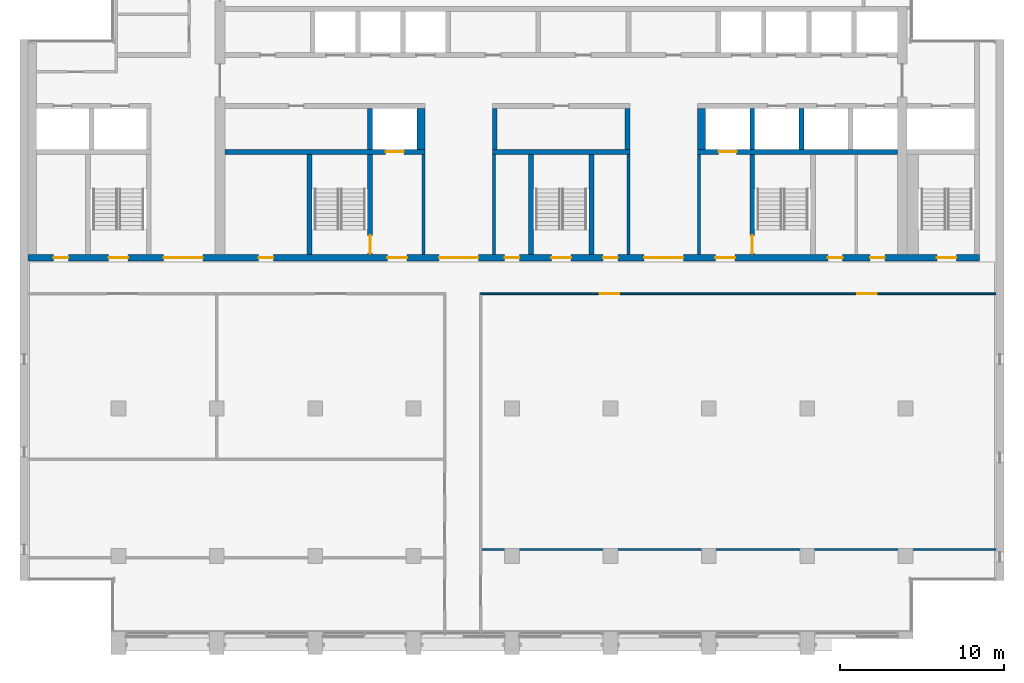
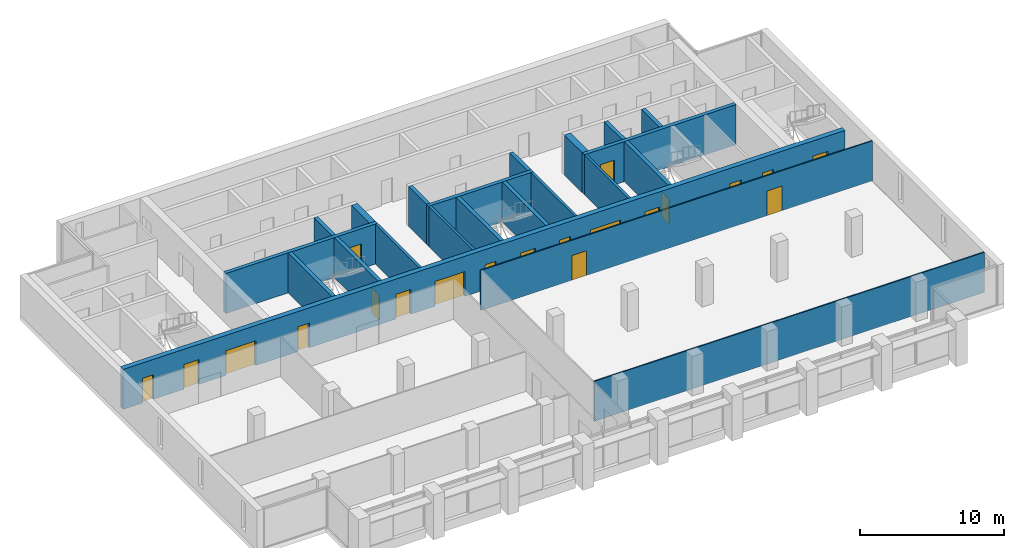
# One storey, part 8 of 14: 22 walls, 20 doors, 20 openings.
"""IFC4 building model written with IfcOpenShell, lengths in metres."""

from ifc_helpers import new_model, si_unit, direction, frame, frame_2d, origin, place, context, subcontext, project, spatial, rectangle, extrude, material, layer, layer_set, type_object, element, fill, save


model = new_model("IFC4")

# Units and contexts
model_context = context("Model", 3, precision=1e-05, world=origin(), true_north=direction((0.0, 1.0)))
body_context = subcontext(model_context, "Body", "Model", "MODEL_VIEW")
ifc_project = project(units=[si_unit("LENGTHUNIT", "METRE"), si_unit("AREAUNIT", "SQUARE_METRE"), si_unit("VOLUMEUNIT", "CUBIC_METRE"), si_unit("PLANEANGLEUNIT", "RADIAN"), si_unit("MASSUNIT", "GRAM", prefix="KILO")], contexts=[model_context])

# Site, building, storey
site_placement = place(None, origin())
site = spatial("IfcSite", under=ifc_project, at=site_placement, CompositionType="ELEMENT")
building_placement = place(site_placement, origin())
building = spatial("IfcBuilding", under=site, at=building_placement, Name="Calvaro Tower", CompositionType="ELEMENT")
storey_placement = place(building_placement, frame((0.0, 0.0, 239.35009765625)))
storey = spatial("IfcBuildingStorey", under=building, at=storey_placement, Name="L60", CompositionType="ELEMENT", Elevation=239.35009765625)

# Walls
ifc_material_1 = material(Name="Blockwork partition", Category="masonry")
ifc_layer_1 = layer(ifc_material_1, 0.199951171875)
ifc_layer_set_1 = layer_set([ifc_layer_1], Name="Blockwork partition")
wall_type_1 = type_object("IfcWallType", Name="Core partition 200 REI 120", PredefinedType="PARTITIONING", material=ifc_layer_set_1)
for number, where, z_axis, x_axis, name in (
    (1, (30.60009765625, 28.39990234375, 0.0), (0.0, 0.0, 1.0), (0.0, 1.0, 0.0), "Core partition"),
    (2, (34.89990234375, 28.39990234375, 0.0), (0.0, 0.0, 1.0), (0.0, 1.0, 0.0), "Core partition"),
    (3, (43.10009765625, 28.39990234375, 0.0), (0.0, 0.0, 1.0), (0.0, 1.0, 0.0), "Core partition"),
    (4, (47.39990234375, 28.39990234375, 0.0), (0.0, 0.0, 1.0), (0.0, 1.0, 0.0), "Core partition"),
):
    element("IfcWall", number, at=place(storey_placement, frame(where, z_axis=z_axis, x_axis=x_axis)), inside=storey, type_object=wall_type_1, Name=name, PredefinedType="PARTITIONING", context=body_context, shape_type="SweptSolid", body=[
        extrude(rectangle(XDim=6.10009765625, YDim=0.199951171875, at=frame_2d((3.050048828125, 0.0))), origin(), (0.0, 0.0, 1.0), 3.39990234375),
    ])
ifc_material_2 = material(Name="Concrete C40/50", Category="concrete")
ifc_layer_2 = layer(ifc_material_2, 0.300048828125)
ifc_layer_set_2 = layer_set([ifc_layer_2], Name="Concrete C40/50")
wall_type_2 = type_object("IfcWallType", Name="Core wall C40/50 300", PredefinedType="SHEAR", material=ifc_layer_set_2)
wall_1_placement = place(storey_placement, frame((23.64990234375, 28.39990234375, 0.0), z_axis=(0.0, 0.0, 1.0), x_axis=(0.0, 1.0, 0.0)))
element("IfcWall", 5, at=wall_1_placement, inside=storey, type_object=wall_type_2, Name="Core wall, stair enclosure", PredefinedType="SHEAR", context=body_context, shape_type="SweptSolid", body=[
    extrude(rectangle(XDim=6.10009765625, YDim=0.300048828125, at=frame_2d((3.050048828125, 0.0))), origin(), (0.0, 0.0, 1.0), 3.39990234375),
])

# Wall, opening, door
wall_2_placement = place(storey_placement, frame((27.35009765625, 28.39990234375, 0.0), z_axis=(0.0, 0.0, 1.0), x_axis=(0.0, 1.0, 0.0)))
wall_2 = element("IfcWall", 6, at=wall_2_placement, inside=storey, type_object=wall_type_2, Name="Core wall, stair enclosure", PredefinedType="SHEAR", context=body_context, shape_type="SweptSolid", body=[
    extrude(rectangle(XDim=6.10009765625, YDim=0.300048828125, at=frame_2d((3.050048828125, 0.0))), origin(), (0.0, 0.0, 1.0), 3.39990234375),
])
opening_1_placement = place(wall_2_placement, frame((0.050048828125, 0.0, 0.0)))
opening_1 = element("IfcOpeningElement", 7, at=opening_1_placement, cuts=wall_2, Name="Opening FD11D", PredefinedType="OPENING", context=body_context, shape_type="SweptSolid", body=[
    extrude(rectangle(XDim=1.10009765625, YDim=2.10009765625, at=frame_2d((0.550048828125, 1.050048828125))), frame((0.0, 0.159912109375, 0.0), z_axis=(0.0, -1.0, 0.0), x_axis=(1.0, 0.0, 0.0)), (0.0, 0.0, 1.0), 0.320068359375),
])
ifc_material_3 = material(Name="Steel door set", Category="steel")
door_type_1 = type_object("IfcDoorType", Name="Fire door 1100 FD30S", OperationType="SINGLE_SWING_LEFT", PredefinedType="DOOR", material=ifc_material_3)
door_1_placement = place(opening_1_placement, origin())
door_1 = element("IfcDoor", 8, at=door_1_placement, inside=storey, type_object=door_type_1, Name="Fire door", OperationType="SINGLE_SWING_LEFT", OverallHeight=2.10009765625, OverallWidth=1.10009765625, PredefinedType="DOOR", context=body_context, shape_type="SweptSolid", body=[
    extrude(rectangle(XDim=1.10009765625, YDim=2.10009765625, at=frame_2d((0.550048828125, 1.050048828125))), frame((0.0, 0.02490234375, 0.0), z_axis=(0.0, -1.0, 0.0), x_axis=(1.0, 0.0, 0.0)), (0.0, 0.0, 1.0), 0.050048828125),
])
fill(opening_1, door_1)

# Walls
for number, where, z_axis, x_axis, name in (
    (9, (37.14990234375, 28.39990234375, 0.0), (0.0, 0.0, 1.0), (0.0, 1.0, 0.0), "Core wall, stair enclosure"),
    (10, (40.85009765625, 28.39990234375, 0.0), (0.0, 0.0, 1.0), (0.0, 1.0, 0.0), "Core wall, stair enclosure"),
):
    element("IfcWall", number, at=place(storey_placement, frame(where, z_axis=z_axis, x_axis=x_axis)), inside=storey, type_object=wall_type_2, Name=name, PredefinedType="SHEAR", context=body_context, shape_type="SweptSolid", body=[
        extrude(rectangle(XDim=6.10009765625, YDim=0.300048828125, at=frame_2d((3.050048828125, 0.0))), origin(), (0.0, 0.0, 1.0), 3.39990234375),
    ])

# Wall, opening, door
wall_3_placement = place(storey_placement, frame((50.64990234375, 34.5, 0.0), z_axis=(0.0, 0.0, 1.0), x_axis=(0.0, -1.0, 0.0)))
wall_3 = element("IfcWall", 11, at=wall_3_placement, inside=storey, type_object=wall_type_2, Name="Core wall, stair enclosure", PredefinedType="SHEAR", context=body_context, shape_type="SweptSolid", body=[
    extrude(rectangle(XDim=6.10009765625, YDim=0.300048828125, at=frame_2d((3.050048828125, 0.0))), origin(), (0.0, 0.0, 1.0), 3.39990234375),
])
opening_2_placement = place(wall_3_placement, frame((4.949951171875, 0.0, 0.0)))
opening_2 = element("IfcOpeningElement", 12, at=opening_2_placement, cuts=wall_3, Name="Opening FD11D", PredefinedType="OPENING", context=body_context, shape_type="SweptSolid", body=[
    extrude(rectangle(XDim=1.10009765625, YDim=2.10009765625, at=frame_2d((0.550048828125, 1.050048828125))), frame((0.0, 0.159912109375, 0.0), z_axis=(0.0, -1.0, 0.0), x_axis=(1.0, 0.0, 0.0)), (0.0, 0.0, 1.0), 0.320068359375),
])
door_2_placement = place(opening_2_placement, origin())
door_2 = element("IfcDoor", 13, at=door_2_placement, inside=storey, type_object=door_type_1, Name="Fire door", OperationType="SINGLE_SWING_RIGHT", OverallHeight=2.10009765625, OverallWidth=1.10009765625, PredefinedType="DOOR", context=body_context, shape_type="SweptSolid", body=[
    extrude(rectangle(XDim=1.10009765625, YDim=2.10009765625, at=frame_2d((0.550048828125, 1.050048828125))), frame((0.0, 0.02490234375, 0.0), z_axis=(0.0, -1.0, 0.0), x_axis=(1.0, 0.0, 0.0)), (0.0, 0.0, 1.0), 0.050048828125),
])
fill(opening_2, door_2)

wall_4_placement = place(storey_placement, frame((18.5, 34.64990234375, 0.0), z_axis=(0.0, 0.0, 1.0), x_axis=(1.0, 0.0, 0.0)))
wall_4 = element("IfcWall", 14, at=wall_4_placement, inside=storey, type_object=wall_type_2, Name="Core wall, lift shaft", PredefinedType="SHEAR", context=body_context, shape_type="SweptSolid", body=[
    extrude(rectangle(XDim=12.199951171875, YDim=0.300048828125, at=frame_2d((6.10009765625, 0.0))), origin(), (0.0, 0.0, 1.0), 3.39990234375),
])
opening_3_placement = place(wall_4_placement, frame((9.800048828125, 0.0, 0.0)))
opening_3 = element("IfcOpeningElement", 15, at=opening_3_placement, cuts=wall_4, Name="Opening FF1", PredefinedType="OPENING", context=body_context, shape_type="SweptSolid", body=[
    extrude(rectangle(XDim=1.10009765625, YDim=2.10009765625, at=frame_2d((0.550048828125, 1.050048828125))), frame((0.0, 0.159912109375, 0.0), z_axis=(0.0, -1.0, 0.0), x_axis=(1.0, 0.0, 0.0)), (0.0, 0.0, 1.0), 0.320068359375),
])
ifc_material_4 = material(Name="Stainless steel", Category="steel")
door_type_2 = type_object("IfcDoorType", Name="Landing door 1100 E 60", OperationType="SLIDING_TO_LEFT", PredefinedType="DOOR", material=ifc_material_4)
door_3_placement = place(opening_3_placement, origin())
door_3 = element("IfcDoor", 16, at=door_3_placement, inside=storey, type_object=door_type_2, Name="Landing door FF1", OperationType="SLIDING_TO_LEFT", OverallHeight=2.10009765625, OverallWidth=1.10009765625, PredefinedType="DOOR", context=body_context, shape_type="SweptSolid", body=[
    extrude(rectangle(XDim=1.10009765625, YDim=2.10009765625, at=frame_2d((0.550048828125, 1.050048828125))), frame((0.0, 0.02490234375, 0.0), z_axis=(0.0, -1.0, 0.0), x_axis=(1.0, 0.0, 0.0)), (0.0, 0.0, 1.0), 0.050048828125),
])
fill(opening_3, door_3)

# Wall
wall_5_placement = place(storey_placement, frame((34.800048828125, 34.64990234375, 0.0), z_axis=(0.0, 0.0, 1.0), x_axis=(1.0, 0.0, 0.0)))
element("IfcWall", 17, at=wall_5_placement, inside=storey, type_object=wall_type_2, Name="Core wall, lift shaft", PredefinedType="SHEAR", context=body_context, shape_type="SweptSolid", body=[
    extrude(rectangle(XDim=8.39990234375, YDim=0.300048828125, at=frame_2d((4.199951171875, 0.0))), origin(), (0.0, 0.0, 1.0), 3.39990234375),
])

# Wall, opening, door
wall_6_placement = place(storey_placement, frame((47.300048828125, 34.64990234375, 0.0), z_axis=(0.0, 0.0, 1.0), x_axis=(1.0, 0.0, 0.0)))
wall_6 = element("IfcWall", 18, at=wall_6_placement, inside=storey, type_object=wall_type_2, Name="Core wall, lift shaft", PredefinedType="SHEAR", context=body_context, shape_type="SweptSolid", body=[
    extrude(rectangle(XDim=12.199951171875, YDim=0.300048828125, at=frame_2d((6.10009765625, 0.0))), origin(), (0.0, 0.0, 1.0), 3.39990234375),
])
opening_4_placement = place(wall_6_placement, frame((1.300048828125, 0.0, 0.0)))
opening_4 = element("IfcOpeningElement", 19, at=opening_4_placement, cuts=wall_6, Name="Opening FF2", PredefinedType="OPENING", context=body_context, shape_type="SweptSolid", body=[
    extrude(rectangle(XDim=1.10009765625, YDim=2.10009765625, at=frame_2d((0.550048828125, 1.050048828125))), frame((0.0, 0.159912109375, 0.0), z_axis=(0.0, -1.0, 0.0), x_axis=(1.0, 0.0, 0.0)), (0.0, 0.0, 1.0), 0.320068359375),
])
door_4_placement = place(opening_4_placement, origin())
door_4 = element("IfcDoor", 20, at=door_4_placement, inside=storey, type_object=door_type_2, Name="Landing door FF2", OperationType="SLIDING_TO_LEFT", OverallHeight=2.10009765625, OverallWidth=1.10009765625, PredefinedType="DOOR", context=body_context, shape_type="SweptSolid", body=[
    extrude(rectangle(XDim=1.10009765625, YDim=2.10009765625, at=frame_2d((0.550048828125, 1.050048828125))), frame((0.0, 0.02490234375, 0.0), z_axis=(0.0, -1.0, 0.0), x_axis=(1.0, 0.0, 0.0)), (0.0, 0.0, 1.0), 0.050048828125),
])
fill(opening_4, door_4)

# Walls
for number, where, z_axis, x_axis, name in (
    (21, (27.35009765625, 34.800048828125, 0.0), (0.0, 0.0, 1.0), (0.0, 1.0, 0.0), "Core wall, lift shaft"),
    (22, (34.949951171875, 34.800048828125, 0.0), (0.0, 0.0, 1.0), (0.0, 1.0, 0.0), "Core wall, lift shaft"),
    (23, (43.050048828125, 34.800048828125, 0.0), (0.0, 0.0, 1.0), (0.0, 1.0, 0.0), "Core wall, lift shaft"),
    (24, (50.64990234375, 34.800048828125, 0.0), (0.0, 0.0, 1.0), (0.0, 1.0, 0.0), "Core wall, lift shaft"),
    (25, (53.64990234375, 34.800048828125, 0.0), (0.0, 0.0, 1.0), (0.0, 1.0, 0.0), "Core wall, lift shaft"),
):
    element("IfcWall", number, at=place(storey_placement, frame(where, z_axis=z_axis, x_axis=x_axis)), inside=storey, type_object=wall_type_2, Name=name, PredefinedType="SHEAR", context=body_context, shape_type="SweptSolid", body=[
        extrude(rectangle(XDim=2.5, YDim=0.300048828125, at=frame_2d((1.25, 0.0))), origin(), (0.0, 0.0, 1.0), 3.39990234375),
    ])

# Wall, openings, doors
ifc_material_5 = material(Name="Concrete C40/50", Category="concrete")
ifc_layer_3 = layer(ifc_material_5, 0.39990234375)
ifc_layer_set_3 = layer_set([ifc_layer_3], Name="Concrete C40/50")
wall_type_3 = type_object("IfcWallType", Name="Core wall C40/50 400", PredefinedType="SHEAR", material=ifc_layer_set_3)
wall_7_placement = place(storey_placement, frame((6.5, 28.199951171875, 0.0), z_axis=(0.0, 0.0, 1.0), x_axis=(1.0, 0.0, 0.0)))
wall_7 = element("IfcWall", 26, at=wall_7_placement, inside=storey, type_object=wall_type_3, Name="Core wall, front", PredefinedType="SHEAR", context=body_context, shape_type="SweptSolid", body=[
    extrude(rectangle(XDim=58.0, YDim=0.39990234375, at=frame_2d((29.0, 0.0))), origin(), (0.0, 0.0, 1.0), 3.39990234375),
])
opening_5_placement = place(wall_7_placement, frame((14.050048828125, 0.0, 0.0)))
opening_5 = element("IfcOpeningElement", 27, at=opening_5_placement, cuts=wall_7, Name="Opening RD9E", PredefinedType="OPENING", context=body_context, shape_type="SweptSolid", body=[
    extrude(rectangle(XDim=0.89990234375, YDim=2.10009765625, at=frame_2d((0.449951171875, 1.050048828125))), frame((0.0, 0.2099609375, 0.0), z_axis=(0.0, -1.0, 0.0), x_axis=(1.0, 0.0, 0.0)), (0.0, 0.0, 1.0), 0.419921875),
])
opening_6_placement = place(wall_7_placement, frame((48.762451171875, 0.0, 0.0)))
opening_6 = element("IfcOpeningElement", 28, at=opening_6_placement, cuts=wall_7, Name="Opening RD9C", PredefinedType="OPENING", context=body_context, shape_type="SweptSolid", body=[
    extrude(rectangle(XDim=0.89990234375, YDim=2.10009765625, at=frame_2d((0.449951171875, 1.050048828125))), frame((0.0, 0.2099609375, 0.0), z_axis=(0.0, -1.0, 0.0), x_axis=(1.0, 0.0, 0.0)), (0.0, 0.0, 1.0), 0.419921875),
])
opening_7_placement = place(wall_7_placement, frame((51.33740234375, 0.0, 0.0)))
opening_7 = element("IfcOpeningElement", 29, at=opening_7_placement, cuts=wall_7, Name="Opening RD9C", PredefinedType="OPENING", context=body_context, shape_type="SweptSolid", body=[
    extrude(rectangle(XDim=0.89990234375, YDim=2.10009765625, at=frame_2d((0.449951171875, 1.050048828125))), frame((0.0, 0.2099609375, 0.0), z_axis=(0.0, -1.0, 0.0), x_axis=(1.0, 0.0, 0.0)), (0.0, 0.0, 1.0), 0.419921875),
])
opening_8_placement = place(wall_7_placement, frame((1.550048828125, 0.0, 0.0)))
opening_8 = element("IfcOpeningElement", 30, at=opening_8_placement, cuts=wall_7, Name="Opening RD9C", PredefinedType="OPENING", context=body_context, shape_type="SweptSolid", body=[
    extrude(rectangle(XDim=0.89990234375, YDim=2.10009765625, at=frame_2d((0.449951171875, 1.050048828125))), frame((0.0, 0.2099609375, 0.0), z_axis=(0.0, -1.0, 0.0), x_axis=(1.0, 0.0, 0.0)), (0.0, 0.0, 1.0), 0.419921875),
])
opening_9_placement = place(wall_7_placement, frame((4.89990234375, 0.0, 0.0)))
opening_9 = element("IfcOpeningElement", 31, at=opening_9_placement, cuts=wall_7, Name="Opening SD12D", PredefinedType="OPENING", context=body_context, shape_type="SweptSolid", body=[
    extrude(rectangle(XDim=1.199951171875, YDim=2.10009765625, at=frame_2d((0.60009765625, 1.050048828125))), frame((0.0, 0.2099609375, 0.0), z_axis=(0.0, -1.0, 0.0), x_axis=(1.0, 0.0, 0.0)), (0.0, 0.0, 1.0), 0.419921875),
])
opening_10_placement = place(wall_7_placement, frame((31.89990234375, 0.0, 0.0)))
opening_10 = element("IfcOpeningElement", 32, at=opening_10_placement, cuts=wall_7, Name="Opening SD12D", PredefinedType="OPENING", context=body_context, shape_type="SweptSolid", body=[
    extrude(rectangle(XDim=1.199951171875, YDim=2.10009765625, at=frame_2d((0.60009765625, 1.050048828125))), frame((0.0, 0.2099609375, 0.0), z_axis=(0.0, -1.0, 0.0), x_axis=(1.0, 0.0, 0.0)), (0.0, 0.0, 1.0), 0.419921875),
])
opening_11_placement = place(wall_7_placement, frame((55.39990234375, 0.0, 0.0)))
opening_11 = element("IfcOpeningElement", 33, at=opening_11_placement, cuts=wall_7, Name="Opening SD12D", PredefinedType="OPENING", context=body_context, shape_type="SweptSolid", body=[
    extrude(rectangle(XDim=1.199951171875, YDim=2.10009765625, at=frame_2d((0.60009765625, 1.050048828125))), frame((0.0, 0.2099609375, 0.0), z_axis=(0.0, -1.0, 0.0), x_axis=(1.0, 0.0, 0.0)), (0.0, 0.0, 1.0), 0.419921875),
])
opening_12_placement = place(wall_7_placement, frame((21.89990234375, 0.0, 0.0)))
opening_12 = element("IfcOpeningElement", 34, at=opening_12_placement, cuts=wall_7, Name="Opening FD12F", PredefinedType="OPENING", context=body_context, shape_type="SweptSolid", body=[
    extrude(rectangle(XDim=1.199951171875, YDim=2.10009765625, at=frame_2d((0.60009765625, 1.050048828125))), frame((0.0, 0.2099609375, 0.0), z_axis=(0.0, -1.0, 0.0), x_axis=(1.0, 0.0, 0.0)), (0.0, 0.0, 1.0), 0.419921875),
])
opening_13_placement = place(wall_7_placement, frame((41.89990234375, 0.0, 0.0)))
opening_13 = element("IfcOpeningElement", 35, at=opening_13_placement, cuts=wall_7, Name="Opening FD12F", PredefinedType="OPENING", context=body_context, shape_type="SweptSolid", body=[
    extrude(rectangle(XDim=1.199951171875, YDim=2.10009765625, at=frame_2d((0.60009765625, 1.050048828125))), frame((0.0, 0.2099609375, 0.0), z_axis=(0.0, -1.0, 0.0), x_axis=(1.0, 0.0, 0.0)), (0.0, 0.0, 1.0), 0.419921875),
])
opening_14_placement = place(wall_7_placement, frame((25.050048828125, 0.0, 0.0)))
opening_14 = element("IfcOpeningElement", 36, at=opening_14_placement, cuts=wall_7, Name="Opening DD24D", PredefinedType="OPENING", context=body_context, shape_type="SweptSolid", body=[
    extrude(rectangle(XDim=2.39990234375, YDim=2.10009765625, at=frame_2d((1.199951171875, 1.050048828125))), frame((0.0, 0.2099609375, 0.0), z_axis=(0.0, -1.0, 0.0), x_axis=(1.0, 0.0, 0.0)), (0.0, 0.0, 1.0), 0.419921875),
])
opening_15_placement = place(wall_7_placement, frame((37.550048828125, 0.0, 0.0)))
opening_15 = element("IfcOpeningElement", 37, at=opening_15_placement, cuts=wall_7, Name="Opening DD24D", PredefinedType="OPENING", context=body_context, shape_type="SweptSolid", body=[
    extrude(rectangle(XDim=2.39990234375, YDim=2.10009765625, at=frame_2d((1.199951171875, 1.050048828125))), frame((0.0, 0.2099609375, 0.0), z_axis=(0.0, -1.0, 0.0), x_axis=(1.0, 0.0, 0.0)), (0.0, 0.0, 1.0), 0.419921875),
])
opening_16_placement = place(wall_7_placement, frame((8.25, 0.0, 0.0)))
opening_16 = element("IfcOpeningElement", 38, at=opening_16_placement, cuts=wall_7, Name="Opening DD24D", PredefinedType="OPENING", context=body_context, shape_type="SweptSolid", body=[
    extrude(rectangle(XDim=2.39990234375, YDim=2.10009765625, at=frame_2d((1.199951171875, 1.050048828125))), frame((0.0, 0.2099609375, 0.0), z_axis=(0.0, -1.0, 0.0), x_axis=(1.0, 0.0, 0.0)), (0.0, 0.0, 1.0), 0.419921875),
])
opening_17_placement = place(wall_7_placement, frame((29.050048828125, 0.0, 0.0)))
opening_17 = element("IfcOpeningElement", 39, at=opening_17_placement, cuts=wall_7, Name="Opening RD9E", PredefinedType="OPENING", context=body_context, shape_type="SweptSolid", body=[
    extrude(rectangle(XDim=0.89990234375, YDim=2.10009765625, at=frame_2d((0.449951171875, 1.050048828125))), frame((0.0, 0.2099609375, 0.0), z_axis=(0.0, -1.0, 0.0), x_axis=(1.0, 0.0, 0.0)), (0.0, 0.0, 1.0), 0.419921875),
])
opening_18_placement = place(wall_7_placement, frame((35.050048828125, 0.0, 0.0)))
opening_18 = element("IfcOpeningElement", 40, at=opening_18_placement, cuts=wall_7, Name="Opening RD9E", PredefinedType="OPENING", context=body_context, shape_type="SweptSolid", body=[
    extrude(rectangle(XDim=0.89990234375, YDim=2.10009765625, at=frame_2d((0.449951171875, 1.050048828125))), frame((0.0, 0.2099609375, 0.0), z_axis=(0.0, -1.0, 0.0), x_axis=(1.0, 0.0, 0.0)), (0.0, 0.0, 1.0), 0.419921875),
])
ifc_material_6 = material(Name="Steel door set", Category="steel")
door_type_3 = type_object("IfcDoorType", Name="Fire door 1200 FD60S", OperationType="SINGLE_SWING_LEFT", PredefinedType="DOOR", material=ifc_material_6)
door_5_placement = place(opening_12_placement, origin())
door_5 = element("IfcDoor", 41, at=door_5_placement, inside=storey, type_object=door_type_3, Name="Fire door", OperationType="SINGLE_SWING_LEFT", OverallHeight=2.10009765625, OverallWidth=1.199951171875, PredefinedType="DOOR", context=body_context, shape_type="SweptSolid", body=[
    extrude(rectangle(XDim=1.199951171875, YDim=2.10009765625, at=frame_2d((0.60009765625, 1.050048828125))), frame((0.0, 0.02490234375, 0.0), z_axis=(0.0, -1.0, 0.0), x_axis=(1.0, 0.0, 0.0)), (0.0, 0.0, 1.0), 0.050048828125),
])
fill(opening_12, door_5)
door_6_placement = place(opening_13_placement, origin())
door_6 = element("IfcDoor", 42, at=door_6_placement, inside=storey, type_object=door_type_3, Name="Fire door", OperationType="SINGLE_SWING_LEFT", OverallHeight=2.10009765625, OverallWidth=1.199951171875, PredefinedType="DOOR", context=body_context, shape_type="SweptSolid", body=[
    extrude(rectangle(XDim=1.199951171875, YDim=2.10009765625, at=frame_2d((0.60009765625, 1.050048828125))), frame((0.0, 0.02490234375, 0.0), z_axis=(0.0, -1.0, 0.0), x_axis=(1.0, 0.0, 0.0)), (0.0, 0.0, 1.0), 0.050048828125),
])
fill(opening_13, door_6)
ifc_material_7 = material(Name="Steel door set", Category="steel")
door_type_4 = type_object("IfcDoorType", Name="Lobby double door 2400 FD30S", OperationType="DOUBLE_DOOR_SINGLE_SWING", PredefinedType="DOOR", material=ifc_material_7)
door_7_placement = place(opening_14_placement, origin())
door_7 = element("IfcDoor", 43, at=door_7_placement, inside=storey, type_object=door_type_4, Name="Lobby double door", OperationType="DOUBLE_DOOR_SINGLE_SWING", OverallHeight=2.10009765625, OverallWidth=2.39990234375, PredefinedType="DOOR", context=body_context, shape_type="SweptSolid", body=[
    extrude(rectangle(XDim=2.39990234375, YDim=2.10009765625, at=frame_2d((1.199951171875, 1.050048828125))), frame((0.0, 0.02490234375, 0.0), z_axis=(0.0, -1.0, 0.0), x_axis=(1.0, 0.0, 0.0)), (0.0, 0.0, 1.0), 0.050048828125),
])
fill(opening_14, door_7)
door_8_placement = place(opening_15_placement, origin())
door_8 = element("IfcDoor", 44, at=door_8_placement, inside=storey, type_object=door_type_4, Name="Lobby double door", OperationType="DOUBLE_DOOR_SINGLE_SWING", OverallHeight=2.10009765625, OverallWidth=2.39990234375, PredefinedType="DOOR", context=body_context, shape_type="SweptSolid", body=[
    extrude(rectangle(XDim=2.39990234375, YDim=2.10009765625, at=frame_2d((1.199951171875, 1.050048828125))), frame((0.0, 0.02490234375, 0.0), z_axis=(0.0, -1.0, 0.0), x_axis=(1.0, 0.0, 0.0)), (0.0, 0.0, 1.0), 0.050048828125),
])
fill(opening_15, door_8)
door_9_placement = place(opening_16_placement, origin())
door_9 = element("IfcDoor", 45, at=door_9_placement, inside=storey, type_object=door_type_4, Name="Lobby double door", OperationType="DOUBLE_DOOR_SINGLE_SWING", OverallHeight=2.10009765625, OverallWidth=2.39990234375, PredefinedType="DOOR", context=body_context, shape_type="SweptSolid", body=[
    extrude(rectangle(XDim=2.39990234375, YDim=2.10009765625, at=frame_2d((1.199951171875, 1.050048828125))), frame((0.0, 0.02490234375, 0.0), z_axis=(0.0, -1.0, 0.0), x_axis=(1.0, 0.0, 0.0)), (0.0, 0.0, 1.0), 0.050048828125),
])
fill(opening_16, door_9)
ifc_material_8 = material(Name="Steel door set", Category="steel")
door_type_5 = type_object("IfcDoorType", Name="Room door 900 FD30", OperationType="SINGLE_SWING_LEFT", PredefinedType="DOOR", material=ifc_material_8)
door_10_placement = place(opening_6_placement, origin())
door_10 = element("IfcDoor", 46, at=door_10_placement, inside=storey, type_object=door_type_5, Name="Room door", OperationType="SINGLE_SWING_LEFT", OverallHeight=2.10009765625, OverallWidth=0.89990234375, PredefinedType="DOOR", context=body_context, shape_type="SweptSolid", body=[
    extrude(rectangle(XDim=0.89990234375, YDim=2.10009765625, at=frame_2d((0.449951171875, 1.050048828125))), frame((0.0, 0.02490234375, 0.0), z_axis=(0.0, -1.0, 0.0), x_axis=(1.0, 0.0, 0.0)), (0.0, 0.0, 1.0), 0.050048828125),
])
fill(opening_6, door_10)
door_11_placement = place(opening_7_placement, origin())
door_11 = element("IfcDoor", 47, at=door_11_placement, inside=storey, type_object=door_type_5, Name="Room door", OperationType="SINGLE_SWING_LEFT", OverallHeight=2.10009765625, OverallWidth=0.89990234375, PredefinedType="DOOR", context=body_context, shape_type="SweptSolid", body=[
    extrude(rectangle(XDim=0.89990234375, YDim=2.10009765625, at=frame_2d((0.449951171875, 1.050048828125))), frame((0.0, 0.02490234375, 0.0), z_axis=(0.0, -1.0, 0.0), x_axis=(1.0, 0.0, 0.0)), (0.0, 0.0, 1.0), 0.050048828125),
])
fill(opening_7, door_11)
door_12_placement = place(opening_8_placement, origin())
door_12 = element("IfcDoor", 48, at=door_12_placement, inside=storey, type_object=door_type_5, Name="Room door", OperationType="SINGLE_SWING_LEFT", OverallHeight=2.10009765625, OverallWidth=0.89990234375, PredefinedType="DOOR", context=body_context, shape_type="SweptSolid", body=[
    extrude(rectangle(XDim=0.89990234375, YDim=2.10009765625, at=frame_2d((0.449951171875, 1.050048828125))), frame((0.0, 0.02490234375, 0.0), z_axis=(0.0, -1.0, 0.0), x_axis=(1.0, 0.0, 0.0)), (0.0, 0.0, 1.0), 0.050048828125),
])
fill(opening_8, door_12)
ifc_material_9 = material(Name="Steel door set", Category="steel")
door_type_6 = type_object("IfcDoorType", Name="Room door 900 FD60", OperationType="SINGLE_SWING_LEFT", PredefinedType="DOOR", material=ifc_material_9)
door_13_placement = place(opening_5_placement, origin())
door_13 = element("IfcDoor", 49, at=door_13_placement, inside=storey, type_object=door_type_6, Name="Room door", OperationType="SINGLE_SWING_LEFT", OverallHeight=2.10009765625, OverallWidth=0.89990234375, PredefinedType="DOOR", context=body_context, shape_type="SweptSolid", body=[
    extrude(rectangle(XDim=0.89990234375, YDim=2.10009765625, at=frame_2d((0.449951171875, 1.050048828125))), frame((0.0, 0.02490234375, 0.0), z_axis=(0.0, -1.0, 0.0), x_axis=(1.0, 0.0, 0.0)), (0.0, 0.0, 1.0), 0.050048828125),
])
fill(opening_5, door_13)
door_14_placement = place(opening_17_placement, origin())
door_14 = element("IfcDoor", 50, at=door_14_placement, inside=storey, type_object=door_type_6, Name="Room door", OperationType="SINGLE_SWING_LEFT", OverallHeight=2.10009765625, OverallWidth=0.89990234375, PredefinedType="DOOR", context=body_context, shape_type="SweptSolid", body=[
    extrude(rectangle(XDim=0.89990234375, YDim=2.10009765625, at=frame_2d((0.449951171875, 1.050048828125))), frame((0.0, 0.02490234375, 0.0), z_axis=(0.0, -1.0, 0.0), x_axis=(1.0, 0.0, 0.0)), (0.0, 0.0, 1.0), 0.050048828125),
])
fill(opening_17, door_14)
door_15_placement = place(opening_18_placement, origin())
door_15 = element("IfcDoor", 51, at=door_15_placement, inside=storey, type_object=door_type_6, Name="Room door", OperationType="SINGLE_SWING_LEFT", OverallHeight=2.10009765625, OverallWidth=0.89990234375, PredefinedType="DOOR", context=body_context, shape_type="SweptSolid", body=[
    extrude(rectangle(XDim=0.89990234375, YDim=2.10009765625, at=frame_2d((0.449951171875, 1.050048828125))), frame((0.0, 0.02490234375, 0.0), z_axis=(0.0, -1.0, 0.0), x_axis=(1.0, 0.0, 0.0)), (0.0, 0.0, 1.0), 0.050048828125),
])
fill(opening_18, door_15)
ifc_material_10 = material(Name="Steel door set", Category="steel")
door_type_7 = type_object("IfcDoorType", Name="Stair door 1200 FD30S", OperationType="SINGLE_SWING_LEFT", PredefinedType="DOOR", material=ifc_material_10)
door_16_placement = place(opening_9_placement, origin())
door_16 = element("IfcDoor", 52, at=door_16_placement, inside=storey, type_object=door_type_7, Name="Stair door", OperationType="SINGLE_SWING_LEFT", OverallHeight=2.10009765625, OverallWidth=1.199951171875, PredefinedType="DOOR", context=body_context, shape_type="SweptSolid", body=[
    extrude(rectangle(XDim=1.199951171875, YDim=2.10009765625, at=frame_2d((0.60009765625, 1.050048828125))), frame((0.0, 0.02490234375, 0.0), z_axis=(0.0, -1.0, 0.0), x_axis=(1.0, 0.0, 0.0)), (0.0, 0.0, 1.0), 0.050048828125),
])
fill(opening_9, door_16)
door_17_placement = place(opening_10_placement, origin())
door_17 = element("IfcDoor", 53, at=door_17_placement, inside=storey, type_object=door_type_7, Name="Stair door", OperationType="SINGLE_SWING_LEFT", OverallHeight=2.10009765625, OverallWidth=1.199951171875, PredefinedType="DOOR", context=body_context, shape_type="SweptSolid", body=[
    extrude(rectangle(XDim=1.199951171875, YDim=2.10009765625, at=frame_2d((0.60009765625, 1.050048828125))), frame((0.0, 0.02490234375, 0.0), z_axis=(0.0, -1.0, 0.0), x_axis=(1.0, 0.0, 0.0)), (0.0, 0.0, 1.0), 0.050048828125),
])
fill(opening_10, door_17)
door_18_placement = place(opening_11_placement, origin())
door_18 = element("IfcDoor", 54, at=door_18_placement, inside=storey, type_object=door_type_7, Name="Stair door", OperationType="SINGLE_SWING_LEFT", OverallHeight=2.10009765625, OverallWidth=1.199951171875, PredefinedType="DOOR", context=body_context, shape_type="SweptSolid", body=[
    extrude(rectangle(XDim=1.199951171875, YDim=2.10009765625, at=frame_2d((0.60009765625, 1.050048828125))), frame((0.0, 0.02490234375, 0.0), z_axis=(0.0, -1.0, 0.0), x_axis=(1.0, 0.0, 0.0)), (0.0, 0.0, 1.0), 0.050048828125),
])
fill(opening_11, door_18)

# Walls
ifc_material_11 = material(Name="Concrete C40/50", Category="concrete")
ifc_layer_4 = layer(ifc_material_11, 0.5)
ifc_layer_set_4 = layer_set([ifc_layer_4], Name="Concrete C40/50")
wall_type_4 = type_object("IfcWallType", Name="Core wall C40/50 500", PredefinedType="SHEAR", material=ifc_layer_set_4)
for number, where, z_axis, x_axis, name in (
    (55, (30.449951171875, 34.800048828125, 0.0), (0.0, 0.0, 1.0), (0.0, 1.0, 0.0), "Core wall, lift shaft"),
    (56, (47.550048828125, 34.800048828125, 0.0), (0.0, 0.0, 1.0), (0.0, 1.0, 0.0), "Core wall, lift shaft"),
):
    element("IfcWall", number, at=place(storey_placement, frame(where, z_axis=z_axis, x_axis=x_axis)), inside=storey, type_object=wall_type_4, Name=name, PredefinedType="SHEAR", context=body_context, shape_type="SweptSolid", body=[
        extrude(rectangle(XDim=2.5, YDim=0.5, at=frame_2d((1.25, 0.0))), origin(), (0.0, 0.0, 1.0), 3.39990234375),
    ])
ifc_material_12 = material(Name="Plasterboard on steel studs", Category="steel")
ifc_layer_5 = layer(ifc_material_12, 0.10009765625)
ifc_layer_set_5 = layer_set([ifc_layer_5], Name="Plasterboard on steel studs")
wall_type_5 = type_object("IfcWallType", Name="Partition 100", PredefinedType="PARTITIONING", material=ifc_layer_set_5)
wall_8_placement = place(storey_placement, frame((34.14990234375, 10.39990234375, 0.0), z_axis=(0.0, 0.0, 1.0), x_axis=(1.0, 0.0, 0.0)))
element("IfcWall", 57, at=wall_8_placement, inside=storey, type_object=wall_type_5, Name="Partition T34.W006", PredefinedType="PARTITIONING", context=body_context, shape_type="SweptSolid", body=[
    extrude(rectangle(XDim=31.35009765625, YDim=0.10009765625, at=frame_2d((15.675048828125, 0.0))), origin(), (0.0, 0.0, 1.0), 3.39990234375),
])

# Wall, openings, doors
wall_9_placement = place(storey_placement, frame((34.050048828125, 26.0, 0.0), z_axis=(0.0, 0.0, 1.0), x_axis=(1.0, 0.0, 0.0)))
wall_9 = element("IfcWall", 58, at=wall_9_placement, inside=storey, type_object=wall_type_5, Name="Partition T34.W009", PredefinedType="PARTITIONING", context=body_context, shape_type="SweptSolid", body=[
    extrude(rectangle(XDim=31.449951171875, YDim=0.10009765625, at=frame_2d((15.72509765625, 0.0))), origin(), (0.0, 0.0, 1.0), 3.39990234375),
])
opening_19_placement = place(wall_9_placement, frame((7.300048828125, 0.0, 0.0)))
opening_19 = element("IfcOpeningElement", 59, at=opening_19_placement, cuts=wall_9, Name="Opening T34.005", PredefinedType="OPENING", context=body_context, shape_type="SweptSolid", body=[
    extrude(rectangle(XDim=1.199951171875, YDim=2.10009765625, at=frame_2d((0.60009765625, 1.050048828125))), frame((0.0, 0.06005859375, 0.0), z_axis=(0.0, -1.0, 0.0), x_axis=(1.0, 0.0, 0.0)), (0.0, 0.0, 1.0), 0.1201171875),
])
opening_20_placement = place(wall_9_placement, frame((23.0, 0.0, 0.0)))
opening_20 = element("IfcOpeningElement", 60, at=opening_20_placement, cuts=wall_9, Name="Opening T34.006", PredefinedType="OPENING", context=body_context, shape_type="SweptSolid", body=[
    extrude(rectangle(XDim=1.199951171875, YDim=2.10009765625, at=frame_2d((0.60009765625, 1.050048828125))), frame((0.0, 0.06005859375, 0.0), z_axis=(0.0, -1.0, 0.0), x_axis=(1.0, 0.0, 0.0)), (0.0, 0.0, 1.0), 0.1201171875),
])
ifc_material_13 = material(Name="Timber", Category="wood")
door_type_8 = type_object("IfcDoorType", Name="Internal single door 1200 x 2100", OperationType="SINGLE_SWING_LEFT", PredefinedType="DOOR", material=ifc_material_13)
door_19_placement = place(opening_19_placement, origin())
door_19 = element("IfcDoor", 61, at=door_19_placement, inside=storey, type_object=door_type_8, Name="Door T34.005", OperationType="SINGLE_SWING_LEFT", OverallHeight=2.10009765625, OverallWidth=1.199951171875, PredefinedType="DOOR", context=body_context, shape_type="SweptSolid", body=[
    extrude(rectangle(XDim=1.199951171875, YDim=2.10009765625, at=frame_2d((0.60009765625, 1.050048828125))), frame((0.0, 0.02490234375, 0.0), z_axis=(0.0, -1.0, 0.0), x_axis=(1.0, 0.0, 0.0)), (0.0, 0.0, 1.0), 0.050048828125),
])
fill(opening_19, door_19)
door_20_placement = place(opening_20_placement, origin())
door_20 = element("IfcDoor", 62, at=door_20_placement, inside=storey, type_object=door_type_8, Name="Door T34.006", OperationType="SINGLE_SWING_RIGHT", OverallHeight=2.10009765625, OverallWidth=1.199951171875, PredefinedType="DOOR", context=body_context, shape_type="SweptSolid", body=[
    extrude(rectangle(XDim=1.199951171875, YDim=2.10009765625, at=frame_2d((0.60009765625, 1.050048828125))), frame((0.0, 0.02490234375, 0.0), z_axis=(0.0, -1.0, 0.0), x_axis=(1.0, 0.0, 0.0)), (0.0, 0.0, 1.0), 0.050048828125),
])
fill(opening_20, door_20)

save(model, "model.ifc")
